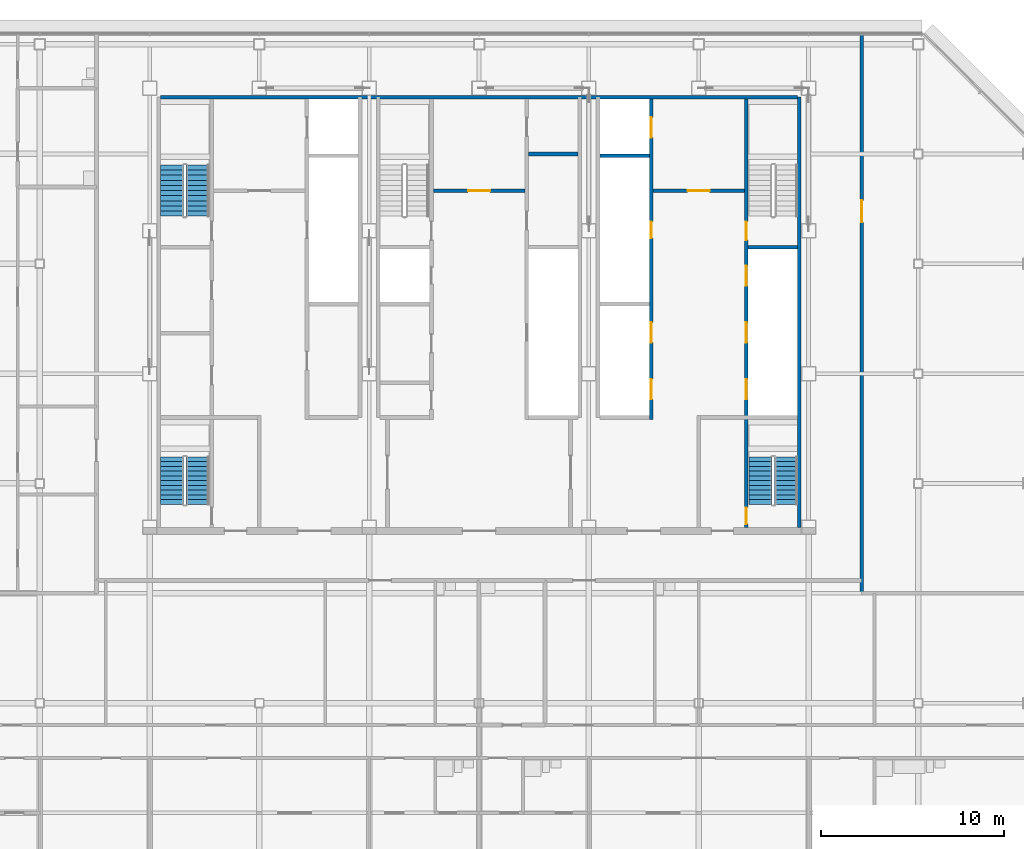
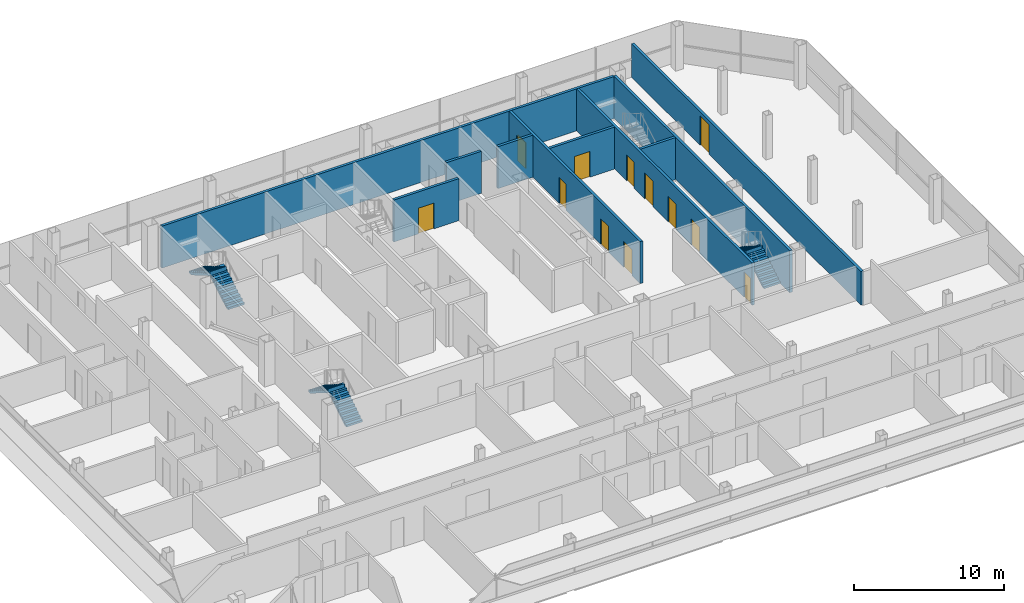
# One storey, part 25 of 28: 12 doors, 10 walls, 6 stair flights, 12 openings, 3 elements without a shape of their own.
"""IFC4 building model written with IfcOpenShell, lengths in metres."""

from ifc_helpers import new_model, si_unit, direction, frame, frame_2d, origin, place, context, subcontext, project, spatial, polyline, rectangle, outline, extrude, material, layer, layer_set, type_object, element, fill, aggregate, save


model = new_model("IFC4")

# Units and contexts
model_context = context("Model", 3, precision=1e-05, world=origin(), true_north=direction((0.0, 1.0)))
body_context = subcontext(model_context, "Body", "Model", "MODEL_VIEW")
ifc_project = project(units=[si_unit("LENGTHUNIT", "METRE"), si_unit("AREAUNIT", "SQUARE_METRE"), si_unit("VOLUMEUNIT", "CUBIC_METRE"), si_unit("PLANEANGLEUNIT", "RADIAN"), si_unit("MASSUNIT", "GRAM", prefix="KILO")], contexts=[model_context])

# Site, building, storey
site_placement = place(None, origin())
site = spatial("IfcSite", under=ifc_project, at=site_placement, CompositionType="ELEMENT")
building_placement = place(site_placement, origin())
building = spatial("IfcBuilding", under=site, at=building_placement, Name="Sorahane Residences", CompositionType="ELEMENT")
storey_placement = place(building_placement, frame((0.0, 0.0, 273.800048828125)))
storey = spatial("IfcBuildingStorey", under=building, at=storey_placement, Name="L65", CompositionType="ELEMENT", Elevation=273.800048828125)

# Walls
ifc_material_1 = material(Name="Concrete C30", Category="concrete")
ifc_layer_1 = layer(ifc_material_1, 0.199951171875)
ifc_layer_set_1 = layer_set([ifc_layer_1], Name="Core face wall 200 EI 180")
wall_type_1 = type_object("IfcWallType", Name="Core face wall 200 EI 180", PredefinedType="SOLIDWALL", material=ifc_layer_set_1)
wall_1_placement = place(storey_placement, frame((41.5, 21.60009765625, 0.0), z_axis=(0.0, 0.0, 1.0), x_axis=(0.0, 1.0, 0.0)))
element("IfcWall", 1, at=wall_1_placement, inside=storey, type_object=wall_type_1, Name="L65 core face wall", PredefinedType="SOLIDWALL", context=body_context, shape_type="SweptSolid", body=[
    extrude(rectangle(XDim=23.5, YDim=0.199951171875, at=frame_2d((11.75, 0.0))), origin(), (0.0, 0.0, 1.0), 3.419921875),
])
wall_2_placement = place(storey_placement, frame((6.60009765625, 45.10009765625, 0.0), z_axis=(0.0, 0.0, 1.0), x_axis=(1.0, 0.0, 0.0)))
element("IfcWall", 2, at=wall_2_placement, inside=storey, type_object=wall_type_1, Name="L65 core face wall", PredefinedType="SOLIDWALL", context=body_context, shape_type="SweptSolid", body=[
    extrude(rectangle(XDim=34.7998046875, YDim=0.199951171875, at=frame_2d((17.39990234375, 0.0))), origin(), (0.0, 0.0, 1.0), 3.419921875),
])

# Wall, opening, door
ifc_material_2 = material(Name="Concrete blockwork C20 wall", Category="masonry")
ifc_layer_2 = layer(ifc_material_2, 0.199951171875)
ifc_layer_set_2 = layer_set([ifc_layer_2], Name="Corridor wall 200 EI 120")
wall_type_2 = type_object("IfcWallType", Name="Corridor wall 200 EI 120", PredefinedType="SOLIDWALL", material=ifc_layer_set_2)
wall_3_placement = place(storey_placement, frame((44.89990234375, 18.0, 0.0), z_axis=(0.0, 0.0, 1.0), x_axis=(0.0, 1.0, 0.0)))
wall_3 = element("IfcWall", 3, at=wall_3_placement, inside=storey, type_object=wall_type_2, Name="L65 corridor wall", PredefinedType="SOLIDWALL", context=body_context, shape_type="SweptSolid", body=[
    extrude(rectangle(XDim=30.60009765625, YDim=0.199951171875, at=frame_2d((15.300048828125, 0.0))), origin(), (0.0, 0.0, 1.0), 2.719970703125),
])
opening_1_placement = place(wall_3_placement, frame((20.27001953125, 0.0, 0.0)))
opening_1 = element("IfcOpeningElement", 4, at=opening_1_placement, cuts=wall_3, Name="Opening L65-47", PredefinedType="OPENING", context=body_context, shape_type="SweptSolid", body=[
    extrude(rectangle(XDim=1.199951171875, YDim=2.39990234375, at=frame_2d((0.60009765625, 1.199951171875))), frame((0.0, 0.10986328125, 0.0), z_axis=(0.0, -1.0, 0.0), x_axis=(1.0, 0.0, 0.0)), (0.0, 0.0, 1.0), 0.219970703125),
])
ifc_material_3 = material(Name="Steel", Category="steel")
door_type_1 = type_object("IfcDoorType", Name="Lobby door 1200x2400 FD60", OperationType="NOTDEFINED", PredefinedType="DOOR", material=ifc_material_3)
door_1_placement = place(opening_1_placement, frame((1.199951171875, 0.0, 0.0), z_axis=(0.0, 0.0, 1.0), x_axis=(-1.0, 0.0, 0.0)))
door_1 = element("IfcDoor", 5, at=door_1_placement, inside=storey, type_object=door_type_1, Name="Lobby door L65-47", OperationType="SINGLE_SWING_LEFT", OverallHeight=2.39990234375, OverallWidth=1.199951171875, PredefinedType="DOOR", context=body_context, shape_type="SweptSolid", body=[
    extrude(rectangle(XDim=1.199951171875, YDim=2.39990234375, at=frame_2d((0.60009765625, 1.199951171875))), frame((0.0, 0.02490234375, 0.0), z_axis=(0.0, -1.0, 0.0), x_axis=(1.0, 0.0, 0.0)), (0.0, 0.0, 1.0), 0.050048828125),
])
fill(opening_1, door_1)

ifc_material_4 = material(Name="Concrete C30", Category="concrete")
ifc_layer_3 = layer(ifc_material_4, 0.199951171875)
ifc_layer_set_3 = layer_set([ifc_layer_3], Name="Front room wall 200 EI 120")
wall_type_3 = type_object("IfcWallType", Name="Front room wall 200 EI 120", PredefinedType="PARTITIONING", material=ifc_layer_set_3)
wall_4_placement = place(storey_placement, frame((21.5, 40.0, 0.0), z_axis=(0.0, 0.0, 1.0), x_axis=(1.0, 0.0, 0.0)))
wall_4 = element("IfcWall", 6, at=wall_4_placement, inside=storey, type_object=wall_type_3, Name="L65 front room wall", PredefinedType="PARTITIONING", context=body_context, shape_type="SweptSolid", body=[
    extrude(rectangle(XDim=5.0, YDim=0.199951171875, at=frame_2d((2.5, 0.0))), origin(), (0.0, 0.0, 1.0), 3.419921875),
])
opening_2_placement = place(wall_4_placement, frame((1.89990234375, 0.0, 0.0)))
opening_2 = element("IfcOpeningElement", 7, at=opening_2_placement, cuts=wall_4, Name="Opening L65-C09", PredefinedType="OPENING", context=body_context, shape_type="SweptSolid", body=[
    extrude(rectangle(XDim=1.199951171875, YDim=2.10009765625, at=frame_2d((0.60009765625, 1.050048828125))), frame((0.0, 0.10986328125, 0.0), z_axis=(0.0, -1.0, 0.0), x_axis=(1.0, 0.0, 0.0)), (0.0, 0.0, 1.0), 0.219970703125),
])
ifc_material_5 = material(Name="Steel", Category="steel")
door_type_2 = type_object("IfcDoorType", Name="Front room door 1200x2100 FD120", OperationType="NOTDEFINED", PredefinedType="DOOR", material=ifc_material_5)
door_2_placement = place(opening_2_placement, frame((1.199951171875, 0.0, 0.0), z_axis=(0.0, 0.0, 1.0), x_axis=(-1.0, 0.0, 0.0)))
door_2 = element("IfcDoor", 8, at=door_2_placement, inside=storey, type_object=door_type_2, Name="Front room door Stair S3 vestibule L65", OperationType="DOUBLE_DOOR_SINGLE_SWING", OverallHeight=2.10009765625, OverallWidth=1.199951171875, PredefinedType="DOOR", context=body_context, shape_type="SweptSolid", body=[
    extrude(rectangle(XDim=1.199951171875, YDim=2.10009765625, at=frame_2d((0.60009765625, 1.050048828125))), frame((0.0, 0.02490234375, 0.0), z_axis=(0.0, -1.0, 0.0), x_axis=(1.0, 0.0, 0.0)), (0.0, 0.0, 1.0), 0.050048828125),
])
fill(opening_2, door_2)

wall_5_placement = place(storey_placement, frame((33.5, 40.0, 0.0), z_axis=(0.0, 0.0, 1.0), x_axis=(1.0, 0.0, 0.0)))
wall_5 = element("IfcWall", 9, at=wall_5_placement, inside=storey, type_object=wall_type_3, Name="L65 front room wall", PredefinedType="PARTITIONING", context=body_context, shape_type="SweptSolid", body=[
    extrude(rectangle(XDim=5.0, YDim=0.199951171875, at=frame_2d((2.5, 0.0))), origin(), (0.0, 0.0, 1.0), 3.419921875),
])
opening_3_placement = place(wall_5_placement, frame((1.89990234375, 0.0, 0.0)))
opening_3 = element("IfcOpeningElement", 10, at=opening_3_placement, cuts=wall_5, Name="Opening L65-C10", PredefinedType="OPENING", context=body_context, shape_type="SweptSolid", body=[
    extrude(rectangle(XDim=1.199951171875, YDim=2.10009765625, at=frame_2d((0.60009765625, 1.050048828125))), frame((0.0, 0.10986328125, 0.0), z_axis=(0.0, -1.0, 0.0), x_axis=(1.0, 0.0, 0.0)), (0.0, 0.0, 1.0), 0.219970703125),
])
door_3_placement = place(opening_3_placement, frame((1.199951171875, 0.0, 0.0), z_axis=(0.0, 0.0, 1.0), x_axis=(-1.0, 0.0, 0.0)))
door_3 = element("IfcDoor", 11, at=door_3_placement, inside=storey, type_object=door_type_2, Name="Front room door Firefighting lobby FF2 front room L65", OperationType="DOUBLE_DOOR_SINGLE_SWING", OverallHeight=2.10009765625, OverallWidth=1.199951171875, PredefinedType="DOOR", context=body_context, shape_type="SweptSolid", body=[
    extrude(rectangle(XDim=1.199951171875, YDim=2.10009765625, at=frame_2d((0.60009765625, 1.050048828125))), frame((0.0, 0.02490234375, 0.0), z_axis=(0.0, -1.0, 0.0), x_axis=(1.0, 0.0, 0.0)), (0.0, 0.0, 1.0), 0.050048828125),
])
fill(opening_3, door_3)

# Wall, openings, doors
ifc_material_6 = material(Name="Concrete C30", Category="concrete")
ifc_layer_4 = layer(ifc_material_6, 0.199951171875)
ifc_layer_set_4 = layer_set([ifc_layer_4], Name="Lift shaft wall 200 EI 120")
wall_type_4 = type_object("IfcWallType", Name="Lift shaft wall 200 EI 120", PredefinedType="SOLIDWALL", material=ifc_layer_set_4)
wall_6_placement = place(storey_placement, frame((33.39990234375, 27.5, 0.0), z_axis=(0.0, 0.0, 1.0), x_axis=(0.0, 1.0, 0.0)))
wall_6 = element("IfcWall", 12, at=wall_6_placement, inside=storey, type_object=wall_type_4, Name="L65 lift shaft wall", PredefinedType="SOLIDWALL", context=body_context, shape_type="SweptSolid", body=[
    extrude(rectangle(XDim=17.5, YDim=0.199951171875, at=frame_2d((8.75, 0.0))), origin(), (0.0, 0.0, 1.0), 3.419921875),
])
opening_4_placement = place(wall_6_placement, frame((1.10009765625, 0.0, 0.0)))
opening_4 = element("IfcOpeningElement", 13, at=opening_4_placement, cuts=wall_6, Name="Opening L65-C14", PredefinedType="OPENING", context=body_context, shape_type="SweptSolid", body=[
    extrude(rectangle(XDim=1.10009765625, YDim=2.10009765625, at=frame_2d((0.550048828125, 1.050048828125))), frame((0.0, 0.10986328125, 0.0), z_axis=(0.0, -1.0, 0.0), x_axis=(1.0, 0.0, 0.0)), (0.0, 0.0, 1.0), 0.219970703125),
])
opening_5_placement = place(wall_6_placement, frame((4.199951171875, 0.0, 0.0)))
opening_5 = element("IfcOpeningElement", 14, at=opening_5_placement, cuts=wall_6, Name="Opening L65-C15", PredefinedType="OPENING", context=body_context, shape_type="SweptSolid", body=[
    extrude(rectangle(XDim=1.10009765625, YDim=2.10009765625, at=frame_2d((0.550048828125, 1.050048828125))), frame((0.0, 0.10986328125, 0.0), z_axis=(0.0, -1.0, 0.0), x_axis=(1.0, 0.0, 0.0)), (0.0, 0.0, 1.0), 0.219970703125),
])
opening_6_placement = place(wall_6_placement, frame((15.39990234375, 0.0, 0.0)))
opening_6 = element("IfcOpeningElement", 15, at=opening_6_placement, cuts=wall_6, Name="Opening L65-C16", PredefinedType="OPENING", context=body_context, shape_type="SweptSolid", body=[
    extrude(rectangle(XDim=1.10009765625, YDim=2.10009765625, at=frame_2d((0.550048828125, 1.050048828125))), frame((0.0, 0.10986328125, 0.0), z_axis=(0.0, -1.0, 0.0), x_axis=(1.0, 0.0, 0.0)), (0.0, 0.0, 1.0), 0.219970703125),
])
opening_7_placement = place(wall_6_placement, frame((9.89990234375, 0.0, 0.0)))
opening_7 = element("IfcOpeningElement", 16, at=opening_7_placement, cuts=wall_6, Name="Opening L65-C29", PredefinedType="OPENING", context=body_context, shape_type="SweptSolid", body=[
    extrude(rectangle(XDim=0.89990234375, YDim=2.10009765625, at=frame_2d((0.449951171875, 1.050048828125))), frame((0.0, 0.10986328125, 0.0), z_axis=(0.0, -1.0, 0.0), x_axis=(1.0, 0.0, 0.0)), (0.0, 0.0, 1.0), 0.219970703125),
])
ifc_material_7 = material(Name="Aluminium and stainless steel", Category="steel")
door_type_3 = type_object("IfcDoorType", Name="Lift landing door 1100x2100 E 60", OperationType="NOTDEFINED", PredefinedType="DOOR", material=ifc_material_7)
door_4_placement = place(opening_4_placement, origin())
door_4 = element("IfcDoor", 17, at=door_4_placement, inside=storey, type_object=door_type_3, Name="Lift landing door HR4 L65", OperationType="DOUBLE_DOOR_SLIDING", OverallHeight=2.10009765625, OverallWidth=1.10009765625, PredefinedType="DOOR", context=body_context, shape_type="SweptSolid", body=[
    extrude(rectangle(XDim=1.10009765625, YDim=2.10009765625, at=frame_2d((0.550048828125, 1.050048828125))), frame((0.0, 0.02490234375, 0.0), z_axis=(0.0, -1.0, 0.0), x_axis=(1.0, 0.0, 0.0)), (0.0, 0.0, 1.0), 0.050048828125),
])
fill(opening_4, door_4)
door_5_placement = place(opening_5_placement, origin())
door_5 = element("IfcDoor", 18, at=door_5_placement, inside=storey, type_object=door_type_3, Name="Lift landing door HR5 L65", OperationType="DOUBLE_DOOR_SLIDING", OverallHeight=2.10009765625, OverallWidth=1.10009765625, PredefinedType="DOOR", context=body_context, shape_type="SweptSolid", body=[
    extrude(rectangle(XDim=1.10009765625, YDim=2.10009765625, at=frame_2d((0.550048828125, 1.050048828125))), frame((0.0, 0.02490234375, 0.0), z_axis=(0.0, -1.0, 0.0), x_axis=(1.0, 0.0, 0.0)), (0.0, 0.0, 1.0), 0.050048828125),
])
fill(opening_5, door_5)
door_6_placement = place(opening_6_placement, origin())
door_6 = element("IfcDoor", 19, at=door_6_placement, inside=storey, type_object=door_type_3, Name="Lift landing door FF2 L65", OperationType="DOUBLE_DOOR_SLIDING", OverallHeight=2.10009765625, OverallWidth=1.10009765625, PredefinedType="DOOR", context=body_context, shape_type="SweptSolid", body=[
    extrude(rectangle(XDim=1.10009765625, YDim=2.10009765625, at=frame_2d((0.550048828125, 1.050048828125))), frame((0.0, 0.02490234375, 0.0), z_axis=(0.0, -1.0, 0.0), x_axis=(1.0, 0.0, 0.0)), (0.0, 0.0, 1.0), 0.050048828125),
])
fill(opening_6, door_6)
ifc_material_8 = material(Name="Steel", Category="steel")
door_type_4 = type_object("IfcDoorType", Name="Riser door 900x2100 FD120", OperationType="NOTDEFINED", PredefinedType="DOOR", material=ifc_material_8)
door_7_placement = place(opening_7_placement, frame((0.89990234375, 0.0, 0.0), z_axis=(0.0, 0.0, 1.0), x_axis=(-1.0, 0.0, 0.0)))
door_7 = element("IfcDoor", 20, at=door_7_placement, inside=storey, type_object=door_type_4, Name="Riser door R2 L65", OperationType="SINGLE_SWING_LEFT", OverallHeight=2.10009765625, OverallWidth=0.89990234375, PredefinedType="DOOR", context=body_context, shape_type="SweptSolid", body=[
    extrude(rectangle(XDim=0.89990234375, YDim=2.10009765625, at=frame_2d((0.449951171875, 1.050048828125))), frame((0.0, 0.02490234375, 0.0), z_axis=(0.0, -1.0, 0.0), x_axis=(1.0, 0.0, 0.0)), (0.0, 0.0, 1.0), 0.050048828125),
])
fill(opening_7, door_7)

# Walls
wall_7_placement = place(storey_placement, frame((30.60009765625, 41.89990234375, 0.0), z_axis=(0.0, 0.0, 1.0), x_axis=(1.0, 0.0, 0.0)))
element("IfcWall", 21, at=wall_7_placement, inside=storey, type_object=wall_type_4, Name="L65 lift shaft wall", PredefinedType="SOLIDWALL", context=body_context, shape_type="SweptSolid", body=[
    extrude(rectangle(XDim=2.699951171875, YDim=0.199951171875, at=frame_2d((1.35009765625, 0.0))), origin(), (0.0, 0.0, 1.0), 3.419921875),
])
ifc_material_9 = material(Name="Concrete C30", Category="concrete")
ifc_layer_5 = layer(ifc_material_9, 0.199951171875)
ifc_layer_set_5 = layer_set([ifc_layer_5], Name="Service room partition 200 EI 60")
wall_type_5 = type_object("IfcWallType", Name="Service room partition 200 EI 60", PredefinedType="PARTITIONING", material=ifc_layer_set_5)
wall_8_placement = place(storey_placement, frame((26.699951171875, 42.0, 0.0), z_axis=(0.0, 0.0, 1.0), x_axis=(1.0, 0.0, 0.0)))
element("IfcWall", 22, at=wall_8_placement, inside=storey, type_object=wall_type_5, Name="L65 service room wall", PredefinedType="PARTITIONING", context=body_context, shape_type="SweptSolid", body=[
    extrude(rectangle(XDim=2.699951171875, YDim=0.199951171875, at=frame_2d((1.35009765625, 0.0))), origin(), (0.0, 0.0, 1.0), 3.419921875),
])

# Wall, openings, doors
ifc_material_10 = material(Name="Concrete C30", Category="concrete")
ifc_layer_6 = layer(ifc_material_10, 0.199951171875)
ifc_layer_set_6 = layer_set([ifc_layer_6], Name="Stair enclosure wall 200 EI 120")
wall_type_6 = type_object("IfcWallType", Name="Stair enclosure wall 200 EI 120", PredefinedType="SOLIDWALL", material=ifc_layer_set_6)
wall_9_placement = place(storey_placement, frame((38.60009765625, 21.60009765625, 0.0), z_axis=(0.0, 0.0, 1.0), x_axis=(0.0, 1.0, 0.0)))
wall_9 = element("IfcWall", 23, at=wall_9_placement, inside=storey, type_object=wall_type_6, Name="L65 stair enclosure wall", PredefinedType="SOLIDWALL", context=body_context, shape_type="SweptSolid", body=[
    extrude(rectangle(XDim=23.39990234375, YDim=0.199951171875, at=frame_2d((11.699951171875, 0.0))), origin(), (0.0, 0.0, 1.0), 3.419921875),
])
opening_8_placement = place(wall_9_placement, frame((7.0, 0.0, 0.0)))
opening_8 = element("IfcOpeningElement", 24, at=opening_8_placement, cuts=wall_9, Name="Opening L65-C11", PredefinedType="OPENING", context=body_context, shape_type="SweptSolid", body=[
    extrude(rectangle(XDim=1.10009765625, YDim=2.10009765625, at=frame_2d((0.550048828125, 1.050048828125))), frame((0.0, 0.10986328125, 0.0), z_axis=(0.0, -1.0, 0.0), x_axis=(1.0, 0.0, 0.0)), (0.0, 0.0, 1.0), 0.219970703125),
])
opening_9_placement = place(wall_9_placement, frame((10.10009765625, 0.0, 0.0)))
opening_9 = element("IfcOpeningElement", 25, at=opening_9_placement, cuts=wall_9, Name="Opening L65-C12", PredefinedType="OPENING", context=body_context, shape_type="SweptSolid", body=[
    extrude(rectangle(XDim=1.10009765625, YDim=2.10009765625, at=frame_2d((0.550048828125, 1.050048828125))), frame((0.0, 0.10986328125, 0.0), z_axis=(0.0, -1.0, 0.0), x_axis=(1.0, 0.0, 0.0)), (0.0, 0.0, 1.0), 0.219970703125),
])
opening_10_placement = place(wall_9_placement, frame((13.199951171875, 0.0, 0.0)))
opening_10 = element("IfcOpeningElement", 26, at=opening_10_placement, cuts=wall_9, Name="Opening L65-C13", PredefinedType="OPENING", context=body_context, shape_type="SweptSolid", body=[
    extrude(rectangle(XDim=1.10009765625, YDim=2.10009765625, at=frame_2d((0.550048828125, 1.050048828125))), frame((0.0, 0.10986328125, 0.0), z_axis=(0.0, -1.0, 0.0), x_axis=(1.0, 0.0, 0.0)), (0.0, 0.0, 1.0), 0.219970703125),
])
opening_11_placement = place(wall_9_placement, frame((15.699951171875, 0.0, 0.0)))
opening_11 = element("IfcOpeningElement", 27, at=opening_11_placement, cuts=wall_9, Name="Opening L65-C24", PredefinedType="OPENING", context=body_context, shape_type="SweptSolid", body=[
    extrude(rectangle(XDim=1.0, YDim=2.10009765625, at=frame_2d((0.5, 1.050048828125))), frame((0.0, 0.10986328125, 0.0), z_axis=(0.0, -1.0, 0.0), x_axis=(1.0, 0.0, 0.0)), (0.0, 0.0, 1.0), 0.219970703125),
])
opening_12_placement = place(wall_9_placement, frame((0.175048828125, 0.0, 0.0)))
opening_12 = element("IfcOpeningElement", 28, at=opening_12_placement, cuts=wall_9, Name="Opening L65-C27", PredefinedType="OPENING", context=body_context, shape_type="SweptSolid", body=[
    extrude(rectangle(XDim=0.89990234375, YDim=2.10009765625, at=frame_2d((0.449951171875, 1.050048828125))), frame((0.0, 0.10986328125, 0.0), z_axis=(0.0, -1.0, 0.0), x_axis=(1.0, 0.0, 0.0)), (0.0, 0.0, 1.0), 0.219970703125),
])
door_8_placement = place(opening_8_placement, origin())
door_8 = element("IfcDoor", 29, at=door_8_placement, inside=storey, type_object=door_type_3, Name="Lift landing door HR1 L65", OperationType="DOUBLE_DOOR_SLIDING", OverallHeight=2.10009765625, OverallWidth=1.10009765625, PredefinedType="DOOR", context=body_context, shape_type="SweptSolid", body=[
    extrude(rectangle(XDim=1.10009765625, YDim=2.10009765625, at=frame_2d((0.550048828125, 1.050048828125))), frame((0.0, 0.02490234375, 0.0), z_axis=(0.0, -1.0, 0.0), x_axis=(1.0, 0.0, 0.0)), (0.0, 0.0, 1.0), 0.050048828125),
])
fill(opening_8, door_8)
door_9_placement = place(opening_9_placement, origin())
door_9 = element("IfcDoor", 30, at=door_9_placement, inside=storey, type_object=door_type_3, Name="Lift landing door HR2 L65", OperationType="DOUBLE_DOOR_SLIDING", OverallHeight=2.10009765625, OverallWidth=1.10009765625, PredefinedType="DOOR", context=body_context, shape_type="SweptSolid", body=[
    extrude(rectangle(XDim=1.10009765625, YDim=2.10009765625, at=frame_2d((0.550048828125, 1.050048828125))), frame((0.0, 0.02490234375, 0.0), z_axis=(0.0, -1.0, 0.0), x_axis=(1.0, 0.0, 0.0)), (0.0, 0.0, 1.0), 0.050048828125),
])
fill(opening_9, door_9)
door_10_placement = place(opening_10_placement, origin())
door_10 = element("IfcDoor", 31, at=door_10_placement, inside=storey, type_object=door_type_3, Name="Lift landing door HR3 L65", OperationType="DOUBLE_DOOR_SLIDING", OverallHeight=2.10009765625, OverallWidth=1.10009765625, PredefinedType="DOOR", context=body_context, shape_type="SweptSolid", body=[
    extrude(rectangle(XDim=1.10009765625, YDim=2.10009765625, at=frame_2d((0.550048828125, 1.050048828125))), frame((0.0, 0.02490234375, 0.0), z_axis=(0.0, -1.0, 0.0), x_axis=(1.0, 0.0, 0.0)), (0.0, 0.0, 1.0), 0.050048828125),
])
fill(opening_10, door_10)
ifc_material_11 = material(Name="Steel", Category="steel")
door_type_5 = type_object("IfcDoorType", Name="Stair door 1000x2100 FD120", OperationType="NOTDEFINED", PredefinedType="DOOR", material=ifc_material_11)
door_11_placement = place(opening_11_placement, frame((1.0, 0.0, 0.0), z_axis=(0.0, 0.0, 1.0), x_axis=(-1.0, 0.0, 0.0)))
door_11 = element("IfcDoor", 32, at=door_11_placement, inside=storey, type_object=door_type_5, Name="Stair door S2 L65", OperationType="SINGLE_SWING_LEFT", OverallHeight=2.10009765625, OverallWidth=1.0, PredefinedType="DOOR", context=body_context, shape_type="SweptSolid", body=[
    extrude(rectangle(XDim=1.0, YDim=2.10009765625, at=frame_2d((0.5, 1.050048828125))), frame((0.0, 0.02490234375, 0.0), z_axis=(0.0, -1.0, 0.0), x_axis=(1.0, 0.0, 0.0)), (0.0, 0.0, 1.0), 0.050048828125),
])
fill(opening_11, door_11)
ifc_material_12 = material(Name="Steel", Category="steel")
door_type_6 = type_object("IfcDoorType", Name="Stair door 900x2100 FD120", OperationType="NOTDEFINED", PredefinedType="DOOR", material=ifc_material_12)
door_12_placement = place(opening_12_placement, frame((0.89990234375, 0.0, 0.0), z_axis=(0.0, 0.0, 1.0), x_axis=(-1.0, 0.0, 0.0)))
door_12 = element("IfcDoor", 33, at=door_12_placement, inside=storey, type_object=door_type_6, Name="Stair door S5 L65", OperationType="SINGLE_SWING_LEFT", OverallHeight=2.10009765625, OverallWidth=0.89990234375, PredefinedType="DOOR", context=body_context, shape_type="SweptSolid", body=[
    extrude(rectangle(XDim=0.89990234375, YDim=2.10009765625, at=frame_2d((0.449951171875, 1.050048828125))), frame((0.0, 0.02490234375, 0.0), z_axis=(0.0, -1.0, 0.0), x_axis=(1.0, 0.0, 0.0)), (0.0, 0.0, 1.0), 0.050048828125),
])
fill(opening_12, door_12)

# Wall
wall_10_placement = place(storey_placement, frame((38.699951171875, 36.89990234375, 0.0), z_axis=(0.0, 0.0, 1.0), x_axis=(1.0, 0.0, 0.0)))
element("IfcWall", 34, at=wall_10_placement, inside=storey, type_object=wall_type_6, Name="L65 stair enclosure wall", PredefinedType="SOLIDWALL", context=body_context, shape_type="SweptSolid", body=[
    extrude(rectangle(XDim=2.699951171875, YDim=0.199951171875, at=frame_2d((1.35009765625, 0.0))), origin(), (0.0, 0.0, 1.0), 3.419921875),
])

# Stair, stair flights
ifc_material_13 = material(Name="Concrete C40", Category="concrete")
stair_type = type_object("IfcStairType", Name="Dog-leg stair 1250 Concrete C40", PredefinedType="HALF_TURN_STAIR", material=ifc_material_13)
stair_1_placement = place(storey_placement, origin())
stair_1 = element("IfcStair", 35, at=stair_1_placement, inside=storey, type_object=stair_type, Name="L65 Stair S1", PredefinedType="HALF_TURN_STAIR")
ifc_material_14 = material(Name="Concrete C40", Category="concrete")
stair_flight_type = type_object("IfcStairFlightType", Name="Stair flight 1250 Concrete C40", PredefinedType="STRAIGHT", material=ifc_material_14)
stair_flight_1_placement = place(storey_placement, frame((8.625, 38.60009765625, 0.0), z_axis=(0.0, 0.0, 1.0), x_axis=(0.0, 1.0, 0.0)))
stair_flight_1 = element("IfcStairFlight", 36, at=stair_flight_1_placement, type_object=stair_flight_type, Name="S1 flight 1", NumberOfRisers=11, NumberOfTreads=10, PredefinedType="STRAIGHT", RiserHeight=0.163636364, TreadLength=0.28, context=body_context, shape_type="SweptSolid", body=[
    extrude(outline(polyline([(-0.00146484375, 0.0), (-0.00146484375, 0.16357421875), (0.0, 0.16357421875), (0.280029296875, 0.16357421875), (0.280029296875, 0.327392578125), (0.56005859375, 0.327392578125), (0.56005859375, 0.490966796875), (0.840087890625, 0.490966796875), (0.840087890625, 0.654541015625), (1.1201171875, 0.654541015625), (1.1201171875, 0.818115234375), (1.39990234375, 0.818115234375), (1.39990234375, 0.98193359375), (1.679931640625, 0.98193359375), (1.679931640625, 1.1455078125), (1.9599609375, 1.1455078125), (1.9599609375, 1.30908203125), (2.239990234375, 1.30908203125), (2.239990234375, 1.47265625), (2.52001953125, 1.47265625), (2.52001953125, 1.636474609375), (2.800048828125, 1.636474609375), (2.800048828125, 1.800048828125), (2.800048828125, 1.462646484375), (2.59130859375, 1.3408203125), (2.3828125, 1.218994140625), (2.17431640625, 1.09716796875), (1.965576171875, 0.97509765625), (1.757080078125, 0.853271484375), (1.548583984375, 0.7314453125), (1.340087890625, 0.609375), (1.13134765625, 0.487548828125), (0.9228515625, 0.36572265625), (0.71435546875, 0.243896484375), (0.505615234375, 0.121826171875), (0.297119140625, 0.0), (-0.00146484375, 0.0)])), frame((0.0, 0.625, 0.0), z_axis=(0.0, -1.0, 0.0), x_axis=(1.0, 0.0, 0.0)), (0.0, 0.0, 1.0), 1.25),
])
stair_flight_2_placement = place(storey_placement, frame((7.22509765625, 41.39990234375, 1.800048828125), z_axis=(0.0, 0.0, 1.0), x_axis=(0.0, -1.0, 0.0)))
stair_flight_2 = element("IfcStairFlight", 37, at=stair_flight_2_placement, type_object=stair_flight_type, Name="S1 flight 2", NumberOfRisers=11, NumberOfTreads=10, PredefinedType="STRAIGHT", RiserHeight=0.163636364, TreadLength=0.28, context=body_context, shape_type="SweptSolid", body=[
    extrude(outline(polyline([(0.0, 0.0), (0.0, 0.16357421875), (0.280029296875, 0.16357421875), (0.280029296875, 0.327392578125), (0.56005859375, 0.327392578125), (0.56005859375, 0.490966796875), (0.840087890625, 0.490966796875), (0.840087890625, 0.654541015625), (1.1201171875, 0.654541015625), (1.1201171875, 0.818115234375), (1.39990234375, 0.818115234375), (1.39990234375, 0.98193359375), (1.679931640625, 0.98193359375), (1.679931640625, 1.1455078125), (1.9599609375, 1.1455078125), (1.9599609375, 1.30908203125), (2.239990234375, 1.30908203125), (2.239990234375, 1.47265625), (2.52001953125, 1.47265625), (2.52001953125, 1.636474609375), (2.800048828125, 1.636474609375), (2.800048828125, 1.800048828125), (2.801513671875, 1.800048828125), (2.801513671875, 1.462646484375), (2.5927734375, 1.3408203125), (2.384033203125, 1.218994140625), (2.17529296875, 1.09716796875), (1.966796875, 0.97509765625), (1.758056640625, 0.853271484375), (1.54931640625, 0.7314453125), (1.340576171875, 0.609375), (1.1318359375, 0.487548828125), (0.923095703125, 0.36572265625), (0.714599609375, 0.243896484375), (0.505859375, 0.121826171875), (0.297119140625, 0.0), (0.0, 0.0)])), frame((0.0, 0.625, 0.0), z_axis=(0.0, -1.0, 0.0), x_axis=(1.0, 0.0, 0.0)), (0.0, 0.0, 1.0), 1.25),
])
aggregate(stair_1, [stair_flight_1, stair_flight_2])

stair_2_placement = place(storey_placement, origin())
stair_2 = element("IfcStair", 38, at=stair_2_placement, inside=storey, type_object=stair_type, Name="L65 Stair S4", PredefinedType="HALF_TURN_STAIR")
stair_flight_3_placement = place(storey_placement, frame((8.625, 22.85009765625, 0.0), z_axis=(0.0, 0.0, 1.0), x_axis=(0.0, 1.0, 0.0)))
stair_flight_3 = element("IfcStairFlight", 39, at=stair_flight_3_placement, type_object=stair_flight_type, Name="S4 flight 1", NumberOfRisers=11, NumberOfTreads=10, PredefinedType="STRAIGHT", RiserHeight=0.163636364, TreadLength=0.26, context=body_context, shape_type="SweptSolid", body=[
    extrude(outline(polyline([(-0.00146484375, 0.0), (-0.00146484375, 0.16357421875), (0.0, 0.16357421875), (0.260009765625, 0.16357421875), (0.260009765625, 0.327392578125), (0.52001953125, 0.327392578125), (0.52001953125, 0.490966796875), (0.780029296875, 0.490966796875), (0.780029296875, 0.654541015625), (1.0400390625, 0.654541015625), (1.0400390625, 0.818115234375), (1.300048828125, 0.818115234375), (1.300048828125, 0.98193359375), (1.56005859375, 0.98193359375), (1.56005859375, 1.1455078125), (1.820068359375, 1.1455078125), (1.820068359375, 1.30908203125), (2.080078125, 1.30908203125), (2.080078125, 1.47265625), (2.340087890625, 1.47265625), (2.340087890625, 1.636474609375), (2.60009765625, 1.636474609375), (2.60009765625, 1.800048828125), (2.60009765625, 1.494384765625), (2.402099609375, 1.369873046875), (2.204345703125, 1.245361328125), (2.00634765625, 1.120849609375), (1.80859375, 0.996337890625), (1.610595703125, 0.871826171875), (1.412841796875, 0.747314453125), (1.21484375, 0.622802734375), (1.01708984375, 0.498046875), (0.819091796875, 0.37353515625), (0.621337890625, 0.2490234375), (0.42333984375, 0.12451171875), (0.2255859375, 0.0), (-0.00146484375, 0.0)])), frame((0.0, 0.625, 0.0), z_axis=(0.0, -1.0, 0.0), x_axis=(1.0, 0.0, 0.0)), (0.0, 0.0, 1.0), 1.25),
])
stair_flight_4_placement = place(storey_placement, frame((7.22509765625, 25.449951171875, 1.800048828125), z_axis=(0.0, 0.0, 1.0), x_axis=(0.0, -1.0, 0.0)))
stair_flight_4 = element("IfcStairFlight", 40, at=stair_flight_4_placement, type_object=stair_flight_type, Name="S4 flight 2", NumberOfRisers=11, NumberOfTreads=10, PredefinedType="STRAIGHT", RiserHeight=0.163636364, TreadLength=0.26, context=body_context, shape_type="SweptSolid", body=[
    extrude(outline(polyline([(0.0, 0.0), (0.0, 0.16357421875), (0.260009765625, 0.16357421875), (0.260009765625, 0.327392578125), (0.52001953125, 0.327392578125), (0.52001953125, 0.490966796875), (0.780029296875, 0.490966796875), (0.780029296875, 0.654541015625), (1.0400390625, 0.654541015625), (1.0400390625, 0.818115234375), (1.300048828125, 0.818115234375), (1.300048828125, 0.98193359375), (1.56005859375, 0.98193359375), (1.56005859375, 1.1455078125), (1.820068359375, 1.1455078125), (1.820068359375, 1.30908203125), (2.080078125, 1.30908203125), (2.080078125, 1.47265625), (2.340087890625, 1.47265625), (2.340087890625, 1.636474609375), (2.60009765625, 1.636474609375), (2.60009765625, 1.800048828125), (2.6015625, 1.800048828125), (2.6015625, 1.494384765625), (2.403564453125, 1.369873046875), (2.20556640625, 1.245361328125), (2.007568359375, 1.120849609375), (1.8095703125, 0.996337890625), (1.611572265625, 0.871826171875), (1.41357421875, 0.747314453125), (1.215576171875, 0.622802734375), (1.017578125, 0.498046875), (0.819580078125, 0.37353515625), (0.62158203125, 0.2490234375), (0.423583984375, 0.12451171875), (0.2255859375, 0.0), (0.0, 0.0)])), frame((0.0, 0.625, 0.0), z_axis=(0.0, -1.0, 0.0), x_axis=(1.0, 0.0, 0.0)), (0.0, 0.0, 1.0), 1.25),
])
aggregate(stair_2, [stair_flight_3, stair_flight_4])

stair_3_placement = place(storey_placement, origin())
stair_3 = element("IfcStair", 41, at=stair_3_placement, inside=storey, type_object=stair_type, Name="L65 Stair S5", PredefinedType="HALF_TURN_STAIR")
stair_flight_5_placement = place(storey_placement, frame((40.77490234375, 22.85009765625, 0.0), z_axis=(0.0, 0.0, 1.0), x_axis=(0.0, 1.0, 0.0)))
stair_flight_5 = element("IfcStairFlight", 42, at=stair_flight_5_placement, type_object=stair_flight_type, Name="S5 flight 1", NumberOfRisers=11, NumberOfTreads=10, PredefinedType="STRAIGHT", RiserHeight=0.163636364, TreadLength=0.26, context=body_context, shape_type="SweptSolid", body=[
    extrude(outline(polyline([(-0.00146484375, 0.0), (-0.00146484375, 0.16357421875), (0.0, 0.16357421875), (0.260009765625, 0.16357421875), (0.260009765625, 0.327392578125), (0.52001953125, 0.327392578125), (0.52001953125, 0.490966796875), (0.780029296875, 0.490966796875), (0.780029296875, 0.654541015625), (1.0400390625, 0.654541015625), (1.0400390625, 0.818115234375), (1.300048828125, 0.818115234375), (1.300048828125, 0.98193359375), (1.56005859375, 0.98193359375), (1.56005859375, 1.1455078125), (1.820068359375, 1.1455078125), (1.820068359375, 1.30908203125), (2.080078125, 1.30908203125), (2.080078125, 1.47265625), (2.340087890625, 1.47265625), (2.340087890625, 1.636474609375), (2.60009765625, 1.636474609375), (2.60009765625, 1.800048828125), (2.60009765625, 1.494384765625), (2.402099609375, 1.369873046875), (2.204345703125, 1.245361328125), (2.00634765625, 1.120849609375), (1.80859375, 0.996337890625), (1.610595703125, 0.871826171875), (1.412841796875, 0.747314453125), (1.21484375, 0.622802734375), (1.01708984375, 0.498046875), (0.819091796875, 0.37353515625), (0.621337890625, 0.2490234375), (0.42333984375, 0.12451171875), (0.2255859375, 0.0), (-0.00146484375, 0.0)])), frame((0.0, 0.625, 0.0), z_axis=(0.0, -1.0, 0.0), x_axis=(1.0, 0.0, 0.0)), (0.0, 0.0, 1.0), 1.25),
])
stair_flight_6_placement = place(storey_placement, frame((39.375, 25.449951171875, 1.800048828125), z_axis=(0.0, 0.0, 1.0), x_axis=(0.0, -1.0, 0.0)))
stair_flight_6 = element("IfcStairFlight", 43, at=stair_flight_6_placement, type_object=stair_flight_type, Name="S5 flight 2", NumberOfRisers=11, NumberOfTreads=10, PredefinedType="STRAIGHT", RiserHeight=0.163636364, TreadLength=0.26, context=body_context, shape_type="SweptSolid", body=[
    extrude(outline(polyline([(0.0, 0.0), (0.0, 0.16357421875), (0.260009765625, 0.16357421875), (0.260009765625, 0.327392578125), (0.52001953125, 0.327392578125), (0.52001953125, 0.490966796875), (0.780029296875, 0.490966796875), (0.780029296875, 0.654541015625), (1.0400390625, 0.654541015625), (1.0400390625, 0.818115234375), (1.300048828125, 0.818115234375), (1.300048828125, 0.98193359375), (1.56005859375, 0.98193359375), (1.56005859375, 1.1455078125), (1.820068359375, 1.1455078125), (1.820068359375, 1.30908203125), (2.080078125, 1.30908203125), (2.080078125, 1.47265625), (2.340087890625, 1.47265625), (2.340087890625, 1.636474609375), (2.60009765625, 1.636474609375), (2.60009765625, 1.800048828125), (2.6015625, 1.800048828125), (2.6015625, 1.494384765625), (2.403564453125, 1.369873046875), (2.20556640625, 1.245361328125), (2.007568359375, 1.120849609375), (1.8095703125, 0.996337890625), (1.611572265625, 0.871826171875), (1.41357421875, 0.747314453125), (1.215576171875, 0.622802734375), (1.017578125, 0.498046875), (0.819580078125, 0.37353515625), (0.62158203125, 0.2490234375), (0.423583984375, 0.12451171875), (0.2255859375, 0.0), (0.0, 0.0)])), frame((0.0, 0.625, 0.0), z_axis=(0.0, -1.0, 0.0), x_axis=(1.0, 0.0, 0.0)), (0.0, 0.0, 1.0), 1.25),
])
aggregate(stair_3, [stair_flight_5, stair_flight_6])

save(model, "model.ifc")
